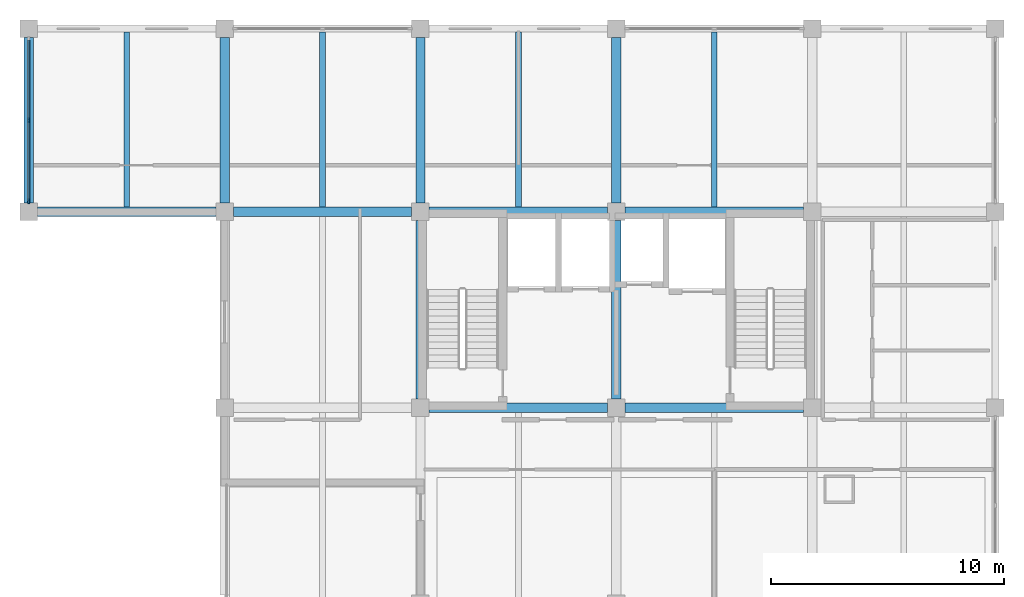
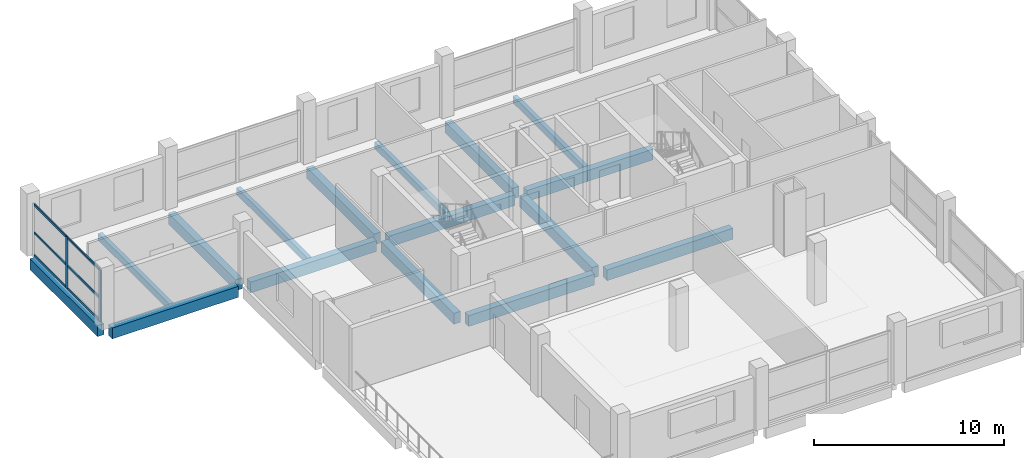
# One storey, part 3 of 10: 16 beams, 8 members, 1 element without a shape of its own.
"""IFC4 building model written with IfcOpenShell, lengths in metres."""

from ifc_helpers import new_model, si_unit, direction, frame, origin, origin_2d, place, context, subcontext, project, spatial, rectangle, extrude, material, material_profile, profile_set, type_object, element, aggregate, save


model = new_model("IFC4")

# Units and contexts
model_context = context("Model", 3, precision=1e-05, world=origin(), true_north=direction((0.0, 1.0)))
body_context = subcontext(model_context, "Body", "Model", "MODEL_VIEW")
ifc_project = project(units=[si_unit("LENGTHUNIT", "METRE"), si_unit("AREAUNIT", "SQUARE_METRE"), si_unit("VOLUMEUNIT", "CUBIC_METRE"), si_unit("PLANEANGLEUNIT", "RADIAN"), si_unit("MASSUNIT", "GRAM", prefix="KILO")], contexts=[model_context])

# Site, building, storey
site_placement = place(None, origin())
site = spatial("IfcSite", under=ifc_project, at=site_placement, CompositionType="ELEMENT")
building_placement = place(site_placement, origin())
building = spatial("IfcBuilding", under=site, at=building_placement, Name="Brinegate Botanical Conservatory", CompositionType="ELEMENT")
storey_placement = place(building_placement, frame((0.0, 0.0, 44.39990234375)))
storey = spatial("IfcBuildingStorey", under=building, at=storey_placement, Name="L11", CompositionType="ELEMENT", Elevation=44.39990234375)

# Beams
ifc_material_1 = material(Name="Concrete C40/50", Category="concrete")
ifc_material_profile_1 = material_profile(ifc_material_1, rectangle(XDim=0.39990234375, YDim=0.699951171875, at=origin_2d()), Name="RC BM 400x700")
ifc_profile_set_1 = profile_set([ifc_material_profile_1], Name="Concrete C40/50")
beam_type_1 = type_object("IfcBeamType", Name="Beam_BM-T2", PredefinedType="BEAM", material=ifc_profile_set_1)
beam_1_placement = place(storey_placement, frame((139.175048828125, 95.199951171875, -0.5498046875), z_axis=(1.0, 0.0, 0.0), x_axis=(0.0, 1.0, 0.0)))
element("IfcBeam", 1, at=beam_1_placement, inside=storey, type_object=beam_type_1, Name="Beam BM-T2 L11 M:18-19", PredefinedType="BEAM", context=body_context, shape_type="SweptSolid", body=[
    extrude(rectangle(XDim=0.39990234375, YDim=0.699951171875, at=origin_2d()), origin(), (0.0, 0.0, 1.0), 7.64990234375),
])
beam_2_placement = place(storey_placement, frame((147.574951171875, 95.199951171875, -0.5498046875), z_axis=(1.0, 0.0, 0.0), x_axis=(0.0, 1.0, 0.0)))
element("IfcBeam", 2, at=beam_2_placement, inside=storey, type_object=beam_type_1, Name="Beam BM-T2 L11 M:19-20", PredefinedType="BEAM", context=body_context, shape_type="SweptSolid", body=[
    extrude(rectangle(XDim=0.39990234375, YDim=0.699951171875, at=origin_2d()), origin(), (0.0, 0.0, 1.0), 7.650146484375),
])
beam_3_placement = place(storey_placement, frame((122.375, 103.60009765625, -0.5498046875), z_axis=(1.0, 0.0, 0.0), x_axis=(0.0, 1.0, 0.0)))
element("IfcBeam", 3, at=beam_3_placement, inside=storey, type_object=beam_type_1, Name="Beam BM-T2 L11 N:16-17", PredefinedType="BEAM", context=body_context, shape_type="SweptSolid", body=[
    extrude(rectangle(XDim=0.39990234375, YDim=0.699951171875, at=origin_2d()), origin(), (0.0, 0.0, 1.0), 7.64990234375),
])
beam_4_placement = place(storey_placement, frame((130.77490234375, 103.60009765625, -0.5498046875), z_axis=(1.0, 0.0, 0.0), x_axis=(0.0, 1.0, 0.0)))
element("IfcBeam", 4, at=beam_4_placement, inside=storey, type_object=beam_type_1, Name="Beam BM-T2 L11 N:17-18", PredefinedType="BEAM", context=body_context, shape_type="SweptSolid", body=[
    extrude(rectangle(XDim=0.39990234375, YDim=0.699951171875, at=origin_2d()), origin(), (0.0, 0.0, 1.0), 7.650146484375),
])
beam_5_placement = place(storey_placement, frame((139.175048828125, 103.60009765625, -0.5498046875), z_axis=(1.0, 0.0, 0.0), x_axis=(0.0, 1.0, 0.0)))
element("IfcBeam", 5, at=beam_5_placement, inside=storey, type_object=beam_type_1, Name="Beam BM-T2 L11 N:18-19", PredefinedType="BEAM", context=body_context, shape_type="SweptSolid", body=[
    extrude(rectangle(XDim=0.39990234375, YDim=0.699951171875, at=origin_2d()), origin(), (0.0, 0.0, 1.0), 7.64990234375),
])
beam_6_placement = place(storey_placement, frame((147.574951171875, 103.60009765625, -0.5498046875), z_axis=(1.0, 0.0, 0.0), x_axis=(0.0, 1.0, 0.0)))
element("IfcBeam", 6, at=beam_6_placement, inside=storey, type_object=beam_type_1, Name="Beam BM-T2 L11 N:19-20", PredefinedType="BEAM", context=body_context, shape_type="SweptSolid", body=[
    extrude(rectangle(XDim=0.39990234375, YDim=0.699951171875, at=origin_2d()), origin(), (0.0, 0.0, 1.0), 7.650146484375),
])
for number, where, z_axis, x_axis, name in (
    (7, (122.0, 103.97509765625, -0.5498046875), (0.0, 1.0, 0.0), (-1.0, 0.0, 0.0), "Beam BM-T2 L11 16:N-P"),
    (8, (130.39990234375, 103.97509765625, -0.5498046875), (0.0, 1.0, 0.0), (-1.0, 0.0, 0.0), "Beam BM-T2 L11 17:N-P"),
):
    element("IfcBeam", number, at=place(storey_placement, frame(where, z_axis=z_axis, x_axis=x_axis)), inside=storey, type_object=beam_type_1, Name=name, PredefinedType="BEAM", context=body_context, shape_type="SweptSolid", body=[
        extrude(rectangle(XDim=0.39990234375, YDim=0.699951171875, at=origin_2d()), origin(), (0.0, 0.0, 1.0), 7.099853515625),
    ])
beam_7_placement = place(storey_placement, frame((138.800048828125, 95.574951171875, -0.5498046875), z_axis=(0.0, 1.0, 0.0), x_axis=(-1.0, 0.0, 0.0)))
element("IfcBeam", 9, at=beam_7_placement, inside=storey, type_object=beam_type_1, Name="Beam BM-T2 L11 18:M-N", PredefinedType="BEAM", context=body_context, shape_type="SweptSolid", body=[
    extrude(rectangle(XDim=0.39990234375, YDim=0.699951171875, at=origin_2d()), origin(), (0.0, 0.0, 1.0), 7.650146484375),
])
beam_8_placement = place(storey_placement, frame((138.800048828125, 103.97509765625, -0.5498046875), z_axis=(0.0, 1.0, 0.0), x_axis=(-1.0, 0.0, 0.0)))
element("IfcBeam", 10, at=beam_8_placement, inside=storey, type_object=beam_type_1, Name="Beam BM-T2 L11 18:N-P", PredefinedType="BEAM", context=body_context, shape_type="SweptSolid", body=[
    extrude(rectangle(XDim=0.39990234375, YDim=0.699951171875, at=origin_2d()), origin(), (0.0, 0.0, 1.0), 7.099853515625),
])
beam_9_placement = place(storey_placement, frame((147.199951171875, 95.574951171875, -0.5498046875), z_axis=(0.0, 1.0, 0.0), x_axis=(-1.0, 0.0, 0.0)))
element("IfcBeam", 11, at=beam_9_placement, inside=storey, type_object=beam_type_1, Name="Beam BM-T2 L11 19:M-N", PredefinedType="BEAM", context=body_context, shape_type="SweptSolid", body=[
    extrude(rectangle(XDim=0.39990234375, YDim=0.699951171875, at=origin_2d()), origin(), (0.0, 0.0, 1.0), 7.650146484375),
])
beam_10_placement = place(storey_placement, frame((147.199951171875, 103.97509765625, -0.5498046875), z_axis=(0.0, 1.0, 0.0), x_axis=(-1.0, 0.0, 0.0)))
element("IfcBeam", 12, at=beam_10_placement, inside=storey, type_object=beam_type_1, Name="Beam BM-T2 L11 19:N-P", PredefinedType="BEAM", context=body_context, shape_type="SweptSolid", body=[
    extrude(rectangle(XDim=0.39990234375, YDim=0.699951171875, at=origin_2d()), origin(), (0.0, 0.0, 1.0), 7.099853515625),
])
ifc_material_profile_2 = material_profile(ifc_material_1, rectangle(XDim=0.25, YDim=0.449951171875, at=origin_2d()), Name="RC JST 250x450")
ifc_profile_set_2 = profile_set([ifc_material_profile_2], Name="Concrete C40/50")
beam_type_2 = type_object("IfcBeamType", Name="Beam_JS-C3", PredefinedType="JOIST", material=ifc_profile_set_2)
for number, where, z_axis, x_axis, name in (
    (13, (126.199951171875, 103.800048828125, -0.4248046875), (0.0, 1.0, 0.0), (-1.0, 0.0, 0.0), "Floor joist JS-C3 L11 bay 16.13"),
    (14, (134.60009765625, 103.800048828125, -0.4248046875), (0.0, 1.0, 0.0), (-1.0, 0.0, 0.0), "Floor joist JS-C3 L11 bay 17.13"),
    (15, (143.0, 103.800048828125, -0.4248046875), (0.0, 1.0, 0.0), (-1.0, 0.0, 0.0), "Floor joist JS-C3 L11 bay 18.13"),
    (16, (151.39990234375, 103.800048828125, -0.4248046875), (0.0, 1.0, 0.0), (-1.0, 0.0, 0.0), "Floor joist JS-C3 L11 bay 19.13"),
):
    element("IfcBeam", number, at=place(storey_placement, frame(where, z_axis=z_axis, x_axis=x_axis)), inside=storey, type_object=beam_type_2, Name=name, PredefinedType="JOIST", context=body_context, shape_type="SweptSolid", body=[
        extrude(rectangle(XDim=0.25, YDim=0.449951171875, at=origin_2d()), origin(), (0.0, 0.0, 1.0), 7.5),
    ])

# Curtain wall, members
ifc_material_2 = material(Name="Thermally broken anodised aluminium AW-6063-T6", Category="aluminium")
curtain_wall_type = type_object("IfcCurtainWallType", Name="CW_CW-TW1", PredefinedType="USERDEFINED", material=ifc_material_2)
curtain_wall_placement = place(storey_placement, origin())
curtain_wall = element("IfcCurtainWall", 17, at=curtain_wall_placement, inside=storey, type_object=curtain_wall_type, Name="Tower north-west curtain wall L11", ObjectType="FACTORY CURTAIN WALL", PredefinedType="USERDEFINED")
ifc_material_profile_3 = material_profile(ifc_material_2, rectangle(XDim=0.070068359375, YDim=0.199951171875, at=origin_2d()), Name="ALUM MULLION 70x200")
ifc_profile_set_3 = profile_set([ifc_material_profile_3], Name="Thermally broken anodised aluminium AW-6063-T6")
member_type_1 = type_object("IfcMemberType", Name="Member_ML-03", PredefinedType="MULLION", material=ifc_profile_set_3)
member_1_placement = place(storey_placement, frame((122.0, 104.050048828125, 0.0), z_axis=(0.0, 0.0, 1.0), x_axis=(-1.0, 0.0, 0.0)))
member_1 = element("IfcMember", 18, at=member_1_placement, type_object=member_type_1, Name="CW-TW1 mullion 1", PredefinedType="MULLION", context=body_context, shape_type="SweptSolid", body=[
    extrude(rectangle(XDim=0.070068359375, YDim=0.199951171875, at=origin_2d()), origin(), (0.0, 0.0, 1.0), 3.31005859375),
])
member_2_placement = place(storey_placement, frame((122.0, 107.52490234375, 0.0), z_axis=(0.0, 0.0, 1.0), x_axis=(-1.0, 0.0, 0.0)))
member_2 = element("IfcMember", 19, at=member_2_placement, type_object=member_type_1, Name="CW-TW1 mullion 2", PredefinedType="MULLION", context=body_context, shape_type="SweptSolid", body=[
    extrude(rectangle(XDim=0.070068359375, YDim=0.199951171875, at=origin_2d()), origin(), (0.0, 0.0, 1.0), 3.31005859375),
])
ifc_material_profile_4 = material_profile(ifc_material_2, rectangle(XDim=0.070068359375, YDim=0.14990234375, at=origin_2d()), Name="ALUM TRANSOM 70x150")
ifc_profile_set_4 = profile_set([ifc_material_profile_4], Name="Thermally broken anodised aluminium AW-6063-T6")
member_type_2 = type_object("IfcMemberType", Name="Member_TR-03", PredefinedType="USERDEFINED", material=ifc_profile_set_4)
member_3_placement = place(storey_placement, frame((122.0, 104.0849609375, 0.03515625), z_axis=(0.0, 1.0, 0.0), x_axis=(-1.0, 0.0, 0.0)))
member_3 = element("IfcMember", 20, at=member_3_placement, type_object=member_type_2, Name="CW-TW1 transom 1.1", ObjectType="TRANSOM", PredefinedType="USERDEFINED", context=body_context, shape_type="SweptSolid", body=[
    extrude(rectangle(XDim=0.070068359375, YDim=0.14990234375, at=origin_2d()), origin(), (0.0, 0.0, 1.0), 3.405029296875),
])
member_4_placement = place(storey_placement, frame((122.0, 104.0849609375, 1.489013671875), z_axis=(0.0, 1.0, 0.0), x_axis=(-1.0, 0.0, 0.0)))
member_4 = element("IfcMember", 21, at=member_4_placement, type_object=member_type_2, Name="CW-TW1 transom 1.2", ObjectType="TRANSOM", PredefinedType="USERDEFINED", context=body_context, shape_type="SweptSolid", body=[
    extrude(rectangle(XDim=0.070068359375, YDim=0.14990234375, at=origin_2d()), origin(), (0.0, 0.0, 1.0), 3.405029296875),
])
member_5_placement = place(storey_placement, frame((122.0, 104.0849609375, 3.275146484375), z_axis=(0.0, 1.0, 0.0), x_axis=(-1.0, 0.0, 0.0)))
member_5 = element("IfcMember", 22, at=member_5_placement, type_object=member_type_2, Name="CW-TW1 transom 1.3", ObjectType="TRANSOM", PredefinedType="USERDEFINED", context=body_context, shape_type="SweptSolid", body=[
    extrude(rectangle(XDim=0.070068359375, YDim=0.14990234375, at=origin_2d()), origin(), (0.0, 0.0, 1.0), 3.405029296875),
])
member_6_placement = place(storey_placement, frame((122.0, 107.56005859375, 0.03515625), z_axis=(0.0, 1.0, 0.0), x_axis=(-1.0, 0.0, 0.0)))
member_6 = element("IfcMember", 23, at=member_6_placement, type_object=member_type_2, Name="CW-TW1 transom 2.1", ObjectType="TRANSOM", PredefinedType="USERDEFINED", context=body_context, shape_type="SweptSolid", body=[
    extrude(rectangle(XDim=0.070068359375, YDim=0.14990234375, at=origin_2d()), origin(), (0.0, 0.0, 1.0), 3.405029296875),
])
member_7_placement = place(storey_placement, frame((122.0, 107.56005859375, 1.489013671875), z_axis=(0.0, 1.0, 0.0), x_axis=(-1.0, 0.0, 0.0)))
member_7 = element("IfcMember", 24, at=member_7_placement, type_object=member_type_2, Name="CW-TW1 transom 2.2", ObjectType="TRANSOM", PredefinedType="USERDEFINED", context=body_context, shape_type="SweptSolid", body=[
    extrude(rectangle(XDim=0.070068359375, YDim=0.14990234375, at=origin_2d()), origin(), (0.0, 0.0, 1.0), 3.405029296875),
])
member_8_placement = place(storey_placement, frame((122.0, 107.56005859375, 3.275146484375), z_axis=(0.0, 1.0, 0.0), x_axis=(-1.0, 0.0, 0.0)))
member_8 = element("IfcMember", 25, at=member_8_placement, type_object=member_type_2, Name="CW-TW1 transom 2.3", ObjectType="TRANSOM", PredefinedType="USERDEFINED", context=body_context, shape_type="SweptSolid", body=[
    extrude(rectangle(XDim=0.070068359375, YDim=0.14990234375, at=origin_2d()), origin(), (0.0, 0.0, 1.0), 3.405029296875),
])
aggregate(curtain_wall, [member_1, member_2, member_3, member_4, member_5, member_6, member_7, member_8])

save(model, "model.ifc")
